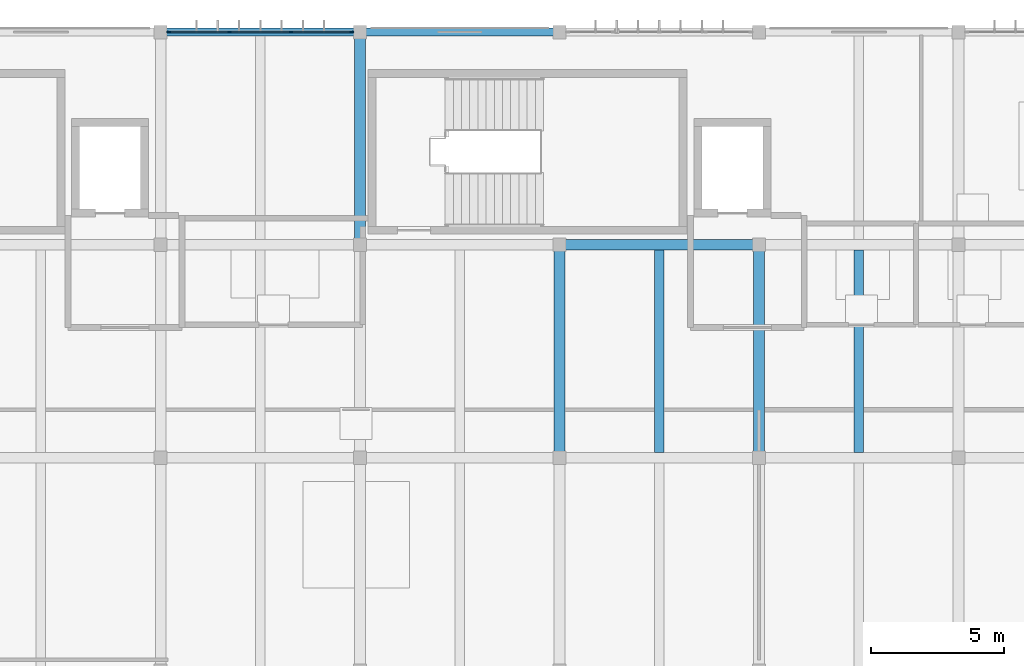
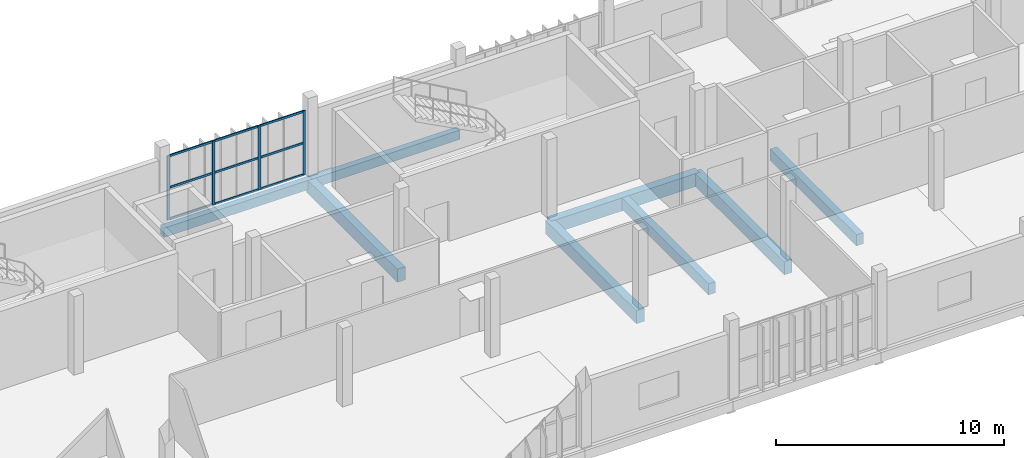
# One storey, part 7 of 27: 13 members, 8 beams, 1 element without a shape of its own.
"""IFC4 building model written with IfcOpenShell, lengths in metres."""

from ifc_helpers import new_model, si_unit, direction, frame, origin, origin_2d, place, context, subcontext, project, spatial, rectangle, extrude, material, material_profile, profile_set, type_object, element, aggregate, save


model = new_model("IFC4")

# Units and contexts
model_context = context("Model", 3, precision=1e-05, world=origin(), true_north=direction((0.0, 1.0)))
body_context = subcontext(model_context, "Body", "Model", "MODEL_VIEW")
ifc_project = project(units=[si_unit("LENGTHUNIT", "METRE"), si_unit("AREAUNIT", "SQUARE_METRE"), si_unit("VOLUMEUNIT", "CUBIC_METRE"), si_unit("PLANEANGLEUNIT", "RADIAN"), si_unit("MASSUNIT", "GRAM", prefix="KILO")], contexts=[model_context])

# Site, building, storey
site_placement = place(None, origin())
site = spatial("IfcSite", under=ifc_project, at=site_placement, CompositionType="ELEMENT")
building_placement = place(site_placement, origin())
building = spatial("IfcBuilding", under=site, at=building_placement, Name="Vourika Railside Aquatics Centre", CompositionType="ELEMENT")
storey_placement = place(building_placement, frame((0.0, 0.0, 13.5)))
storey = spatial("IfcBuildingStorey", under=building, at=storey_placement, Name="L03", CompositionType="ELEMENT", Elevation=13.5)

# Beams
ifc_material_1 = material(Name="Concrete C35/45", Category="concrete")
ifc_material_profile_1 = material_profile(ifc_material_1, rectangle(XDim=0.39990234375, YDim=0.699951171875, at=origin_2d()), Name="RC 400x700")
ifc_profile_set_1 = profile_set([ifc_material_profile_1], Name="Concrete C35/45")
beam_type_1 = type_object("IfcBeamType", Name="BM-GIRD-400x700", PredefinedType="BEAM", material=ifc_profile_set_1)
beam_placement = place(storey_placement, frame((51.0, 108.0, -0.610107421875), z_axis=(1.0, 0.0, 0.0), x_axis=(0.0, 1.0, 0.0)))
element("IfcBeam", 1, at=beam_placement, inside=storey, type_object=beam_type_1, Name="Floor Beam GX-L03-074", PredefinedType="BEAM", context=body_context, shape_type="SweptSolid", body=[
    extrude(rectangle(XDim=0.39990234375, YDim=0.699951171875, at=origin_2d()), origin(), (0.0, 0.0, 1.0), 7.5),
])
for number, where, z_axis, x_axis, name in (
    (2, (43.5, 108.0, -0.610107421875), (0.0, 1.0, 0.0), (-1.0, 0.0, 0.0), "Floor Girder GY-L03-130"),
    (3, (51.0, 100.0, -0.610107421875), (0.0, 1.0, 0.0), (-1.0, 0.0, 0.0), "Floor Girder GY-L03-132"),
    (4, (58.5, 100.0, -0.610107421875), (0.0, 1.0, 0.0), (-1.0, 0.0, 0.0), "Floor Girder GY-L03-134"),
):
    element("IfcBeam", number, at=place(storey_placement, frame(where, z_axis=z_axis, x_axis=x_axis)), inside=storey, type_object=beam_type_1, Name=name, PredefinedType="BEAM", context=body_context, shape_type="SweptSolid", body=[
        extrude(rectangle(XDim=0.39990234375, YDim=0.699951171875, at=origin_2d()), origin(), (0.0, 0.0, 1.0), 8.0),
    ])
ifc_material_profile_2 = material_profile(ifc_material_1, rectangle(XDim=0.35009765625, YDim=0.60009765625, at=origin_2d()), Name="RC 350x600")
ifc_profile_set_2 = profile_set([ifc_material_profile_2], Name="Concrete C35/45")
beam_type_2 = type_object("IfcBeamType", Name="BM-SEC-350x600", PredefinedType="JOIST", material=ifc_profile_set_2)
for number, where, z_axis, x_axis, name in (
    (5, (54.75, 100.199951171875, -0.56005859375), (0.0, 1.0, 0.0), (-1.0, 0.0, 0.0), "Secondary Joist JY-L03-233"),
    (6, (62.25, 100.199951171875, -0.56005859375), (0.0, 1.0, 0.0), (-1.0, 0.0, 0.0), "Secondary Joist JY-L03-234"),
):
    element("IfcBeam", number, at=place(storey_placement, frame(where, z_axis=z_axis, x_axis=x_axis)), inside=storey, type_object=beam_type_2, Name=name, PredefinedType="JOIST", context=body_context, shape_type="SweptSolid", body=[
        extrude(rectangle(XDim=0.35009765625, YDim=0.60009765625, at=origin_2d()), origin(), (0.0, 0.0, 1.0), 7.60009765625),
    ])
ifc_material_profile_3 = material_profile(ifc_material_1, rectangle(XDim=0.300048828125, YDim=0.5, at=origin_2d()), Name="RC 300x500")
ifc_profile_set_3 = profile_set([ifc_material_profile_3], Name="Concrete C35/45")
beam_type_3 = type_object("IfcBeamType", Name="BM-SPAN-300x500", PredefinedType="SPANDREL", material=ifc_profile_set_3)
for number, where, z_axis, x_axis, name in (
    (7, (36.0, 116.0, -0.510009765625), (1.0, 0.0, 0.0), (0.0, 1.0, 0.0), "Floor Beam GX-L03-087"),
    (8, (43.5, 116.0, -0.510009765625), (1.0, 0.0, 0.0), (0.0, 1.0, 0.0), "Floor Beam GX-L03-088"),
):
    element("IfcBeam", number, at=place(storey_placement, frame(where, z_axis=z_axis, x_axis=x_axis)), inside=storey, type_object=beam_type_3, Name=name, PredefinedType="SPANDREL", context=body_context, shape_type="SweptSolid", body=[
        extrude(rectangle(XDim=0.300048828125, YDim=0.5, at=origin_2d()), origin(), (0.0, 0.0, 1.0), 7.5),
    ])

# Curtain wall, members
ifc_material_2 = material(Name="Anodized thermally broken aluminium", Category="aluminium")
curtain_wall_type = type_object("IfcCurtainWallType", Name="CW-FIT3", PredefinedType="NOTDEFINED", material=ifc_material_2)
curtain_wall_placement = place(storey_placement, origin())
curtain_wall = element("IfcCurtainWall", 9, at=curtain_wall_placement, inside=storey, type_object=curtain_wall_type, Name="North Boulevard Curtain Wall L03-3", PredefinedType="NOTDEFINED")
ifc_material_3 = material(Name="Anodized aluminium mullion", Category="aluminium")
ifc_material_profile_4 = material_profile(ifc_material_3, rectangle(XDim=0.05810546875, YDim=0.14208984375, at=origin_2d()), Name="ALU-M 58x142")
ifc_profile_set_4 = profile_set([ifc_material_profile_4], Name="Anodized aluminium mullion")
member_type_1 = type_object("IfcMemberType", Name="CWM-FIT3", PredefinedType="MULLION", material=ifc_profile_set_4)
member_1_placement = place(storey_placement, frame((43.19091796875, 116.0, 0.0), z_axis=(0.0, 0.0, 1.0), x_axis=(0.0, -1.0, 0.0)))
member_1 = element("IfcMember", 10, at=member_1_placement, type_object=member_type_1, Name="CW17 mullion 1", PredefinedType="MULLION", context=body_context, shape_type="SweptSolid", body=[
    extrude(rectangle(XDim=0.05810546875, YDim=0.14208984375, at=origin_2d()), origin(), (0.0, 0.0, 1.0), 3.43994140625),
])
member_2_placement = place(storey_placement, frame((40.90673828125, 116.0, 0.0), z_axis=(0.0, 0.0, 1.0), x_axis=(0.0, -1.0, 0.0)))
member_2 = element("IfcMember", 11, at=member_2_placement, type_object=member_type_1, Name="CW17 mullion 2", PredefinedType="MULLION", context=body_context, shape_type="SweptSolid", body=[
    extrude(rectangle(XDim=0.05810546875, YDim=0.14208984375, at=origin_2d()), origin(), (0.0, 0.0, 1.0), 3.43994140625),
])
member_3_placement = place(storey_placement, frame((38.59326171875, 116.0, 0.0), z_axis=(0.0, 0.0, 1.0), x_axis=(0.0, -1.0, 0.0)))
member_3 = element("IfcMember", 12, at=member_3_placement, type_object=member_type_1, Name="CW17 mullion 3", PredefinedType="MULLION", context=body_context, shape_type="SweptSolid", body=[
    extrude(rectangle(XDim=0.05810546875, YDim=0.14208984375, at=origin_2d()), origin(), (0.0, 0.0, 1.0), 3.43994140625),
])
member_4_placement = place(storey_placement, frame((36.30908203125, 116.0, 0.0), z_axis=(0.0, 0.0, 1.0), x_axis=(0.0, -1.0, 0.0)))
member_4 = element("IfcMember", 13, at=member_4_placement, type_object=member_type_1, Name="CW17 mullion 4", PredefinedType="MULLION", context=body_context, shape_type="SweptSolid", body=[
    extrude(rectangle(XDim=0.05810546875, YDim=0.14208984375, at=origin_2d()), origin(), (0.0, 0.0, 1.0), 3.43994140625),
])
ifc_material_4 = material(Name="Anodized aluminium transom", Category="aluminium")
ifc_material_profile_5 = material_profile(ifc_material_4, rectangle(XDim=0.05810546875, YDim=0.112060546875, at=origin_2d()), Name="ALU-T 58x112")
ifc_profile_set_5 = profile_set([ifc_material_profile_5], Name="Anodized aluminium transom")
member_type_2 = type_object("IfcMemberType", Name="CWT-FIT3", PredefinedType="USERDEFINED", material=ifc_profile_set_5)
member_5_placement = place(storey_placement, frame((43.162109375, 116.0, 0.029052734375), z_axis=(-1.0, 0.0, 0.0), x_axis=(0.0, -1.0, 0.0)))
member_5 = element("IfcMember", 14, at=member_5_placement, type_object=member_type_2, Name="CW17 transom 1.1", ObjectType="TRANSOM", PredefinedType="USERDEFINED", context=body_context, shape_type="SweptSolid", body=[
    extrude(rectangle(XDim=0.05810546875, YDim=0.112060546875, at=origin_2d()), origin(), (0.0, 0.0, 1.0), 2.2265625),
])
member_6_placement = place(storey_placement, frame((43.162109375, 116.0, 1.719970703125), z_axis=(-1.0, 0.0, 0.0), x_axis=(0.0, -1.0, 0.0)))
member_6 = element("IfcMember", 15, at=member_6_placement, type_object=member_type_2, Name="CW17 transom 1.2", ObjectType="TRANSOM", PredefinedType="USERDEFINED", context=body_context, shape_type="SweptSolid", body=[
    extrude(rectangle(XDim=0.05810546875, YDim=0.112060546875, at=origin_2d()), origin(), (0.0, 0.0, 1.0), 2.2265625),
])
member_7_placement = place(storey_placement, frame((43.162109375, 116.0, 3.410888671875), z_axis=(-1.0, 0.0, 0.0), x_axis=(0.0, -1.0, 0.0)))
member_7 = element("IfcMember", 16, at=member_7_placement, type_object=member_type_2, Name="CW17 transom 1.3", ObjectType="TRANSOM", PredefinedType="USERDEFINED", context=body_context, shape_type="SweptSolid", body=[
    extrude(rectangle(XDim=0.05810546875, YDim=0.112060546875, at=origin_2d()), origin(), (0.0, 0.0, 1.0), 2.2265625),
])
member_8_placement = place(storey_placement, frame((40.877685546875, 116.0, 0.029052734375), z_axis=(-1.0, 0.0, 0.0), x_axis=(0.0, -1.0, 0.0)))
member_8 = element("IfcMember", 17, at=member_8_placement, type_object=member_type_2, Name="CW17 transom 2.1", ObjectType="TRANSOM", PredefinedType="USERDEFINED", context=body_context, shape_type="SweptSolid", body=[
    extrude(rectangle(XDim=0.05810546875, YDim=0.112060546875, at=origin_2d()), origin(), (0.0, 0.0, 1.0), 2.25537109375),
])
member_9_placement = place(storey_placement, frame((40.877685546875, 116.0, 1.719970703125), z_axis=(-1.0, 0.0, 0.0), x_axis=(0.0, -1.0, 0.0)))
member_9 = element("IfcMember", 18, at=member_9_placement, type_object=member_type_2, Name="CW17 transom 2.2", ObjectType="TRANSOM", PredefinedType="USERDEFINED", context=body_context, shape_type="SweptSolid", body=[
    extrude(rectangle(XDim=0.05810546875, YDim=0.112060546875, at=origin_2d()), origin(), (0.0, 0.0, 1.0), 2.25537109375),
])
member_10_placement = place(storey_placement, frame((40.877685546875, 116.0, 3.410888671875), z_axis=(-1.0, 0.0, 0.0), x_axis=(0.0, -1.0, 0.0)))
member_10 = element("IfcMember", 19, at=member_10_placement, type_object=member_type_2, Name="CW17 transom 2.3", ObjectType="TRANSOM", PredefinedType="USERDEFINED", context=body_context, shape_type="SweptSolid", body=[
    extrude(rectangle(XDim=0.05810546875, YDim=0.112060546875, at=origin_2d()), origin(), (0.0, 0.0, 1.0), 2.25537109375),
])
member_11_placement = place(storey_placement, frame((38.564453125, 116.0, 0.029052734375), z_axis=(-1.0, 0.0, 0.0), x_axis=(0.0, -1.0, 0.0)))
member_11 = element("IfcMember", 20, at=member_11_placement, type_object=member_type_2, Name="CW17 transom 3.1", ObjectType="TRANSOM", PredefinedType="USERDEFINED", context=body_context, shape_type="SweptSolid", body=[
    extrude(rectangle(XDim=0.05810546875, YDim=0.112060546875, at=origin_2d()), origin(), (0.0, 0.0, 1.0), 2.2265625),
])
member_12_placement = place(storey_placement, frame((38.564453125, 116.0, 1.719970703125), z_axis=(-1.0, 0.0, 0.0), x_axis=(0.0, -1.0, 0.0)))
member_12 = element("IfcMember", 21, at=member_12_placement, type_object=member_type_2, Name="CW17 transom 3.2", ObjectType="TRANSOM", PredefinedType="USERDEFINED", context=body_context, shape_type="SweptSolid", body=[
    extrude(rectangle(XDim=0.05810546875, YDim=0.112060546875, at=origin_2d()), origin(), (0.0, 0.0, 1.0), 2.2265625),
])
member_13_placement = place(storey_placement, frame((38.564453125, 116.0, 3.410888671875), z_axis=(-1.0, 0.0, 0.0), x_axis=(0.0, -1.0, 0.0)))
member_13 = element("IfcMember", 22, at=member_13_placement, type_object=member_type_2, Name="CW17 transom 3.3", ObjectType="TRANSOM", PredefinedType="USERDEFINED", context=body_context, shape_type="SweptSolid", body=[
    extrude(rectangle(XDim=0.05810546875, YDim=0.112060546875, at=origin_2d()), origin(), (0.0, 0.0, 1.0), 2.2265625),
])
aggregate(curtain_wall, [member_1, member_2, member_3, member_4, member_5, member_6, member_7, member_8, member_9, member_10, member_11, member_12, member_13])

save(model, "model.ifc")
